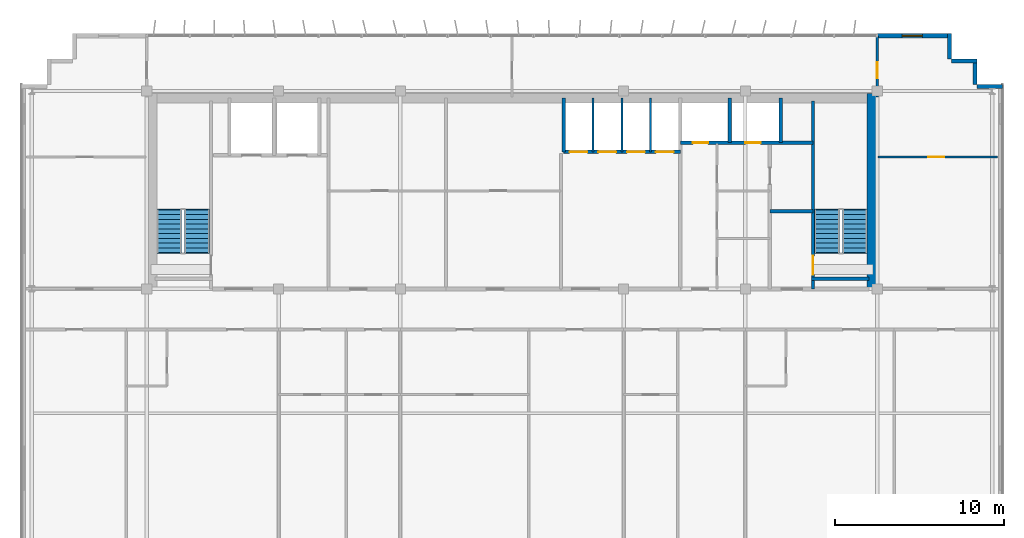
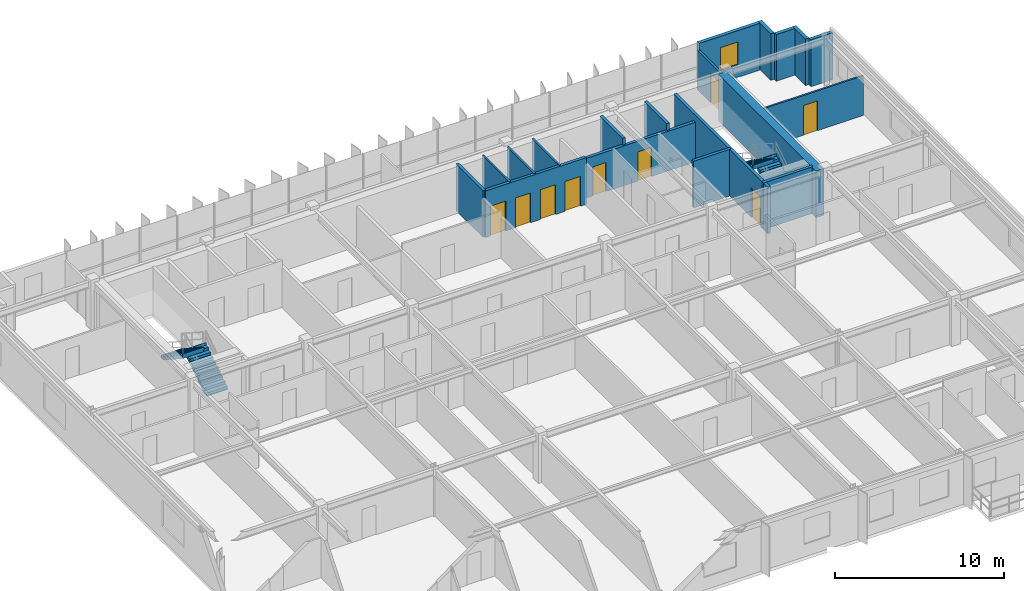
# One storey, part 20 of 22: 19 walls, 9 doors, 4 stair flights, 1 window, 10 openings, 2 elements without a shape of their own.
"""IFC4 building model written with IfcOpenShell, lengths in metres."""

from ifc_helpers import new_model, si_unit, direction, frame, frame_2d, origin, place, context, subcontext, project, spatial, polyline, rectangle, outline, extrude, source, transform, mapped, material, layer, layer_set, type_object, element, fill, aggregate, save


model = new_model("IFC4")

# Units and contexts
model_context = context("Model", 3, precision=1e-05, world=origin(), true_north=direction((0.0, 1.0)))
body_context = subcontext(model_context, "Body", "Model", "MODEL_VIEW")
ifc_project = project(units=[si_unit("LENGTHUNIT", "METRE"), si_unit("AREAUNIT", "SQUARE_METRE"), si_unit("VOLUMEUNIT", "CUBIC_METRE"), si_unit("PLANEANGLEUNIT", "RADIAN"), si_unit("MASSUNIT", "GRAM", prefix="KILO")], contexts=[model_context])

# Site, building, storey
site_placement = place(None, origin())
site = spatial("IfcSite", under=ifc_project, at=site_placement, CompositionType="ELEMENT")
building_placement = place(site_placement, origin())
building = spatial("IfcBuilding", under=site, at=building_placement, Name="Trelvane Seafront Commons", CompositionType="ELEMENT")
storey_placement = place(building_placement, frame((0.0, 0.0, 284.699951171875)))
storey = spatial("IfcBuildingStorey", under=building, at=storey_placement, Name="L74", CompositionType="ELEMENT", Elevation=284.699951171875)

# Wall, opening, window
ifc_material_1 = material(Name="Precast concrete C40/50", Category="concrete")
ifc_layer_1 = layer(ifc_material_1, 0.239990234375, Name="ARCH-WALL-EXT240")
ifc_layer_set_1 = layer_set([ifc_layer_1], Name="Precast concrete C40/50")
wall_type_1 = type_object("IfcWallType", Name="ARCH-WALL-EXT240", PredefinedType="SOLIDWALL", material=ifc_layer_set_1)
wall_1_placement = place(storey_placement, frame((58.800048828125, 48.3701171875, 0.0), z_axis=(0.0, 0.0, 1.0), x_axis=(1.0, 0.0, 0.0)))
wall_1 = element("IfcWall", 1, at=wall_1_placement, inside=storey, type_object=wall_type_1, Name="EW-L74-NE-1488", PredefinedType="SOLIDWALL", context=body_context, shape_type="SweptSolid", body=[
    extrude(rectangle(XDim=4.300048828125, YDim=0.239990234375, at=frame_2d((2.14990234375, 0.0))), origin(), (0.0, 0.0, 1.0), 3.3701171875),
])
opening_1_placement = place(wall_1_placement, frame((1.4599609375, 0.0, 0.89990234375)))
opening_1 = element("IfcOpeningElement", 2, at=opening_1_placement, cuts=wall_1, Name="Opening W05", PredefinedType="OPENING", context=body_context, shape_type="SweptSolid", body=[
    extrude(rectangle(XDim=1.199951171875, YDim=1.64990234375, at=frame_2d((0.60009765625, 0.824951171875))), frame((0.0, 0.1298828125, 0.0), z_axis=(0.0, -1.0, 0.0), x_axis=(1.0, 0.0, 0.0)), (0.0, 0.0, 1.0), 0.260009765625),
])
ifc_material_2 = material(Name="Low-E coastal double glazing", Category="glass")
window_type = type_object("IfcWindowType", Name="ARCH-WIN-W05", PartitioningType="SINGLE_PANEL", PredefinedType="WINDOW", material=ifc_material_2)
shared_shape_1 = source(origin(), body_context, "Body", "SweptSolid", [
    extrude(rectangle(XDim=1.199951171875, YDim=1.64990234375, at=frame_2d((0.60009765625, 0.824951171875))), frame((0.0, 0.030029296875, 0.0), z_axis=(0.0, -1.0, 0.0), x_axis=(1.0, 0.0, 0.0)), (0.0, 0.0, 1.0), 0.06005859375),
])
window_placement = place(opening_1_placement, origin())
window = element("IfcWindow", 3, at=window_placement, inside=storey, type_object=window_type, Name="WIN-L74-01772", OverallHeight=1.64990234375, OverallWidth=1.199951171875, PartitioningType="SINGLE_PANEL", PredefinedType="WINDOW", context=body_context, shape_type="MappedRepresentation", body=[
    mapped(shared_shape_1, transform((0.0, 0.0, 0.0), x_axis=(1.0, 0.0, 0.0), y_axis=(0.0, 1.0, 0.0), z_axis=(0.0, 0.0, 1.0), scale=1.0)),
])
fill(opening_1, window)

# Walls
for number, where, z_axis, x_axis, name in (
    (4, (63.080078125, 48.5, 0.0), (0.0, 0.0, 1.0), (0.0, -1.0, 0.0), "EW-L74-01497"),
    (5, (63.199951171875, 46.8798828125, 0.0), (0.0, 0.0, 1.0), (1.0, 0.0, 0.0), "EW-L74-01498"),
    (6, (64.580078125, 47.0, 0.0), (0.0, 0.0, 1.0), (0.0, -1.0, 0.0), "EW-L74-01499"),
    (7, (64.699951171875, 45.3798828125, 0.0), (0.0, 0.0, 1.0), (1.0, 0.0, 0.0), "EW-L74-01500"),
):
    element("IfcWall", number, at=place(storey_placement, frame(where, z_axis=z_axis, x_axis=x_axis)), inside=storey, type_object=wall_type_1, Name=name, PredefinedType="SOLIDWALL", context=body_context, shape_type="SweptSolid", body=[
        extrude(rectangle(XDim=1.5, YDim=0.239990234375, at=frame_2d((0.75, 0.0))), origin(), (0.0, 0.0, 1.0), 3.3701171875),
    ])
ifc_material_3 = material(Name="Concrete C40/50", Category="concrete")
ifc_layer_2 = layer(ifc_material_3, 0.199951171875, Name="ARCH-WALL-FIRE200")
ifc_layer_set_2 = layer_set([ifc_layer_2], Name="Concrete C40/50")
wall_type_2 = type_object("IfcWallType", Name="ARCH-WALL-FIRE200", PredefinedType="PARTITIONING", material=ifc_layer_set_2)
wall_2_placement = place(storey_placement, frame((52.449951171875, 38.0, 0.0), z_axis=(0.0, 0.0, 1.0), x_axis=(1.0, 0.0, 0.0)))
element("IfcWall", 8, at=wall_2_placement, inside=storey, type_object=wall_type_2, Name="W-L74-ST2V-N-031", PredefinedType="PARTITIONING", context=body_context, shape_type="SweptSolid", body=[
    extrude(rectangle(XDim=2.550048828125, YDim=0.199951171875, at=frame_2d((1.27490234375, 0.0))), origin(), (0.0, 0.0, 1.0), 3.3701171875),
])
ifc_material_4 = material(Name="Gypsum Drywall Acoustic Partition")
ifc_layer_3 = layer(ifc_material_4, 0.1201171875, Name="ARCH-WALL-PART120")
ifc_layer_set_3 = layer_set([ifc_layer_3], Name="Gypsum Drywall Acoustic Partition")
wall_type_3 = type_object("IfcWallType", Name="ARCH-WALL-PART120", PredefinedType="PARTITIONING", material=ifc_layer_set_3)
for number, where, z_axis, x_axis, name in (
    (9, (42.0, 41.5, 0.0), (0.0, 0.0, 1.0), (0.0, 1.0, 0.0), "W-L74-PH-DIV1-020"),
    (10, (43.699951171875, 41.5, 0.0), (0.0, 0.0, 1.0), (0.0, 1.0, 0.0), "W-L74-PH-DIV2-021"),
    (11, (45.39990234375, 41.5, 0.0), (0.0, 0.0, 1.0), (0.0, 1.0, 0.0), "W-L74-PH-DIV3-022"),
):
    element("IfcWall", number, at=place(storey_placement, frame(where, z_axis=z_axis, x_axis=x_axis)), inside=storey, type_object=wall_type_3, Name=name, PredefinedType="PARTITIONING", context=body_context, shape_type="SweptSolid", body=[
        extrude(rectangle(XDim=3.199951171875, YDim=0.1201171875, at=frame_2d((1.60009765625, 0.0))), origin(), (0.0, 0.0, 1.0), 3.3701171875),
    ])

# Wall, opening, door
wall_3_placement = place(storey_placement, frame((58.85009765625, 41.199951171875, 0.0), z_axis=(0.0, 0.0, 1.0), x_axis=(1.0, 0.0, 0.0)))
wall_3 = element("IfcWall", 12, at=wall_3_placement, inside=storey, type_object=wall_type_3, Name="W-L74-NE-LGDV-038", PredefinedType="PARTITIONING", context=body_context, shape_type="SweptSolid", body=[
    extrude(rectangle(XDim=7.0498046875, YDim=0.1201171875, at=frame_2d((3.52490234375, 0.0))), origin(), (0.0, 0.0, 1.0), 2.8701171875),
])
opening_2_placement = place(wall_3_placement, frame((2.9580078125, 0.0, 0.0)))
opening_2 = element("IfcOpeningElement", 13, at=opening_2_placement, cuts=wall_3, Name="Opening D-L74-25", PredefinedType="OPENING", context=body_context, shape_type="SweptSolid", body=[
    extrude(rectangle(XDim=0.949951171875, YDim=2.14990234375, at=frame_2d((0.47509765625, 1.074951171875))), frame((0.0, 0.070068359375, 0.0), z_axis=(0.0, -1.0, 0.0), x_axis=(1.0, 0.0, 0.0)), (0.0, 0.0, 1.0), 0.14013671875),
])
ifc_material_5 = material(Name="Acoustic timber door leaf", Category="wood")
door_type_1 = type_object("IfcDoorType", Name="ARCH-DR-INT950", OperationType="NOTDEFINED", PredefinedType="DOOR", material=ifc_material_5)
shared_shape_2 = source(origin(), body_context, "Body", "SweptSolid", [
    extrude(rectangle(XDim=0.949951171875, YDim=2.14990234375, at=frame_2d((0.47509765625, 1.074951171875))), frame((0.0, 0.02490234375, 0.0), z_axis=(0.0, -1.0, 0.0), x_axis=(1.0, 0.0, 0.0)), (0.0, 0.0, 1.0), 0.050048828125),
])
door_1_placement = place(opening_2_placement, origin())
door_1 = element("IfcDoor", 14, at=door_1_placement, inside=storey, type_object=door_type_1, Name="L74 Door 25", OperationType="SINGLE_SWING_LEFT", OverallHeight=2.14990234375, OverallWidth=0.949951171875, PredefinedType="DOOR", context=body_context, shape_type="MappedRepresentation", body=[
    mapped(shared_shape_2, transform((0.0, 0.0, 0.0), x_axis=(1.0, 0.0, 0.0), y_axis=(0.0, 1.0, 0.0), z_axis=(0.0, 0.0, 1.0), scale=1.0)),
])
fill(opening_2, door_1)

ifc_layer_4 = layer(ifc_material_4, 0.14990234375, Name="ARCH-WALL-PART150")
ifc_layer_set_4 = layer_set([ifc_layer_4], Name="Gypsum Drywall Acoustic Partition")
wall_type_4 = type_object("IfcWallType", Name="ARCH-WALL-PART150", PredefinedType="PARTITIONING", material=ifc_layer_set_4)
wall_4_placement = place(storey_placement, frame((58.800048828125, 44.75, 0.0), z_axis=(0.0, 0.0, 1.0), x_axis=(0.0, 1.0, 0.0)))
wall_4 = element("IfcWall", 15, at=wall_4_placement, inside=storey, type_object=wall_type_4, Name="W-L74-N-LINK-E-042", PredefinedType="PARTITIONING", context=body_context, shape_type="SweptSolid", body=[
    extrude(rectangle(XDim=3.610107421875, YDim=0.14990234375, at=frame_2d((1.80517578125, 0.0))), origin(), (0.0, 0.0, 1.0), 2.8701171875),
])
opening_3_placement = place(wall_4_placement, frame((1.10009765625, 0.0, 0.0)))
opening_3 = element("IfcOpeningElement", 16, at=opening_3_placement, cuts=wall_4, Name="Opening FD-L74-29", PredefinedType="OPENING", context=body_context, shape_type="SweptSolid", body=[
    extrude(rectangle(XDim=0.949951171875, YDim=2.14990234375, at=frame_2d((0.47509765625, 1.074951171875))), frame((0.0, 0.0849609375, 0.0), z_axis=(0.0, -1.0, 0.0), x_axis=(1.0, 0.0, 0.0)), (0.0, 0.0, 1.0), 0.169921875),
])
ifc_material_6 = material(Name="Powder-coated aluminium frame", Category="aluminium")
door_type_2 = type_object("IfcDoorType", Name="ARCH-DR-FD60-950", OperationType="NOTDEFINED", PredefinedType="DOOR", material=ifc_material_6)
door_2_placement = place(opening_3_placement, origin())
door_2 = element("IfcDoor", 17, at=door_2_placement, inside=storey, type_object=door_type_2, Name="L74 Door 29", OperationType="SINGLE_SWING_LEFT", OverallHeight=2.14990234375, OverallWidth=0.949951171875, PredefinedType="DOOR", context=body_context, shape_type="MappedRepresentation", body=[
    mapped(shared_shape_2, transform((0.0, 0.0, 0.0), x_axis=(1.0, 0.0, 0.0), y_axis=(0.0, 1.0, 0.0), z_axis=(0.0, 0.0, 1.0), scale=1.0)),
])
fill(opening_3, door_2)

# Wall, openings, doors
ifc_layer_5 = layer(ifc_material_3, 0.199951171875, Name="ARCH-WALL-SHAFT200")
ifc_layer_set_5 = layer_set([ifc_layer_5], Name="Concrete C40/50")
wall_type_5 = type_object("IfcWallType", Name="ARCH-WALL-SHAFT200", PredefinedType="SOLIDWALL", material=ifc_layer_set_5)
wall_5_placement = place(storey_placement, frame((40.25, 41.5, 0.0), z_axis=(0.0, 0.0, 1.0), x_axis=(1.0, 0.0, 0.0)))
wall_5 = element("IfcWall", 18, at=wall_5_placement, inside=storey, type_object=wall_type_5, Name="W-L74-PH-FRONT-018", PredefinedType="SOLIDWALL", context=body_context, shape_type="SweptSolid", body=[
    extrude(rectangle(XDim=6.89990234375, YDim=0.199951171875, at=frame_2d((3.449951171875, 0.0))), origin(), (0.0, 0.0, 1.0), 3.3701171875),
])
opening_4_placement = place(wall_5_placement, frame((0.35009765625, 0.0, 0.0)))
opening_4 = element("IfcOpeningElement", 19, at=opening_4_placement, cuts=wall_5, Name="Opening LD-PH1-L74", PredefinedType="OPENING", context=body_context, shape_type="SweptSolid", body=[
    extrude(rectangle(XDim=1.050048828125, YDim=2.14990234375, at=frame_2d((0.52490234375, 1.074951171875))), frame((0.0, 0.10986328125, 0.0), z_axis=(0.0, -1.0, 0.0), x_axis=(1.0, 0.0, 0.0)), (0.0, 0.0, 1.0), 0.219970703125),
])
opening_5_placement = place(wall_5_placement, frame((2.050048828125, 0.0, 0.0)))
opening_5 = element("IfcOpeningElement", 20, at=opening_5_placement, cuts=wall_5, Name="Opening LD-PH2-L74", PredefinedType="OPENING", context=body_context, shape_type="SweptSolid", body=[
    extrude(rectangle(XDim=1.050048828125, YDim=2.14990234375, at=frame_2d((0.52490234375, 1.074951171875))), frame((0.0, 0.10986328125, 0.0), z_axis=(0.0, -1.0, 0.0), x_axis=(1.0, 0.0, 0.0)), (0.0, 0.0, 1.0), 0.219970703125),
])
opening_6_placement = place(wall_5_placement, frame((3.75, 0.0, 0.0)))
opening_6 = element("IfcOpeningElement", 21, at=opening_6_placement, cuts=wall_5, Name="Opening LD-PH3-L74", PredefinedType="OPENING", context=body_context, shape_type="SweptSolid", body=[
    extrude(rectangle(XDim=1.050048828125, YDim=2.14990234375, at=frame_2d((0.52490234375, 1.074951171875))), frame((0.0, 0.10986328125, 0.0), z_axis=(0.0, -1.0, 0.0), x_axis=(1.0, 0.0, 0.0)), (0.0, 0.0, 1.0), 0.219970703125),
])
opening_7_placement = place(wall_5_placement, frame((5.449951171875, 0.0, 0.0)))
opening_7 = element("IfcOpeningElement", 22, at=opening_7_placement, cuts=wall_5, Name="Opening LD-PH4-L74", PredefinedType="OPENING", context=body_context, shape_type="SweptSolid", body=[
    extrude(rectangle(XDim=1.050048828125, YDim=2.14990234375, at=frame_2d((0.52490234375, 1.074951171875))), frame((0.0, 0.10986328125, 0.0), z_axis=(0.0, -1.0, 0.0), x_axis=(1.0, 0.0, 0.0)), (0.0, 0.0, 1.0), 0.219970703125),
])
ifc_material_7 = material(Name="Stainless steel balustrade", Category="steel")
door_type_3 = type_object("IfcDoorType", Name="ARCH-DR-LD1050", OperationType="DOUBLE_DOOR_SLIDING", PredefinedType="DOOR", material=ifc_material_7)
shared_shape_3 = source(origin(), body_context, "Body", "SweptSolid", [
    extrude(rectangle(XDim=1.050048828125, YDim=2.14990234375, at=frame_2d((0.52490234375, 1.074951171875))), frame((0.0, 0.02490234375, 0.0), z_axis=(0.0, -1.0, 0.0), x_axis=(1.0, 0.0, 0.0)), (0.0, 0.0, 1.0), 0.050048828125),
])
door_3_placement = place(opening_4_placement, origin())
door_3 = element("IfcDoor", 23, at=door_3_placement, inside=storey, type_object=door_type_3, Name="L74 Passenger Lift PH-1 Landing Door", OperationType="DOUBLE_DOOR_SLIDING", OverallHeight=2.14990234375, OverallWidth=1.050048828125, PredefinedType="DOOR", context=body_context, shape_type="MappedRepresentation", body=[
    mapped(shared_shape_3, transform((0.0, 0.0, 0.0), x_axis=(1.0, 0.0, 0.0), y_axis=(0.0, 1.0, 0.0), z_axis=(0.0, 0.0, 1.0), scale=1.0)),
])
fill(opening_4, door_3)
door_4_placement = place(opening_5_placement, origin())
door_4 = element("IfcDoor", 24, at=door_4_placement, inside=storey, type_object=door_type_3, Name="L74 Passenger Lift PH-2 Landing Door", OperationType="DOUBLE_DOOR_SLIDING", OverallHeight=2.14990234375, OverallWidth=1.050048828125, PredefinedType="DOOR", context=body_context, shape_type="MappedRepresentation", body=[
    mapped(shared_shape_3, transform((0.0, 0.0, 0.0), x_axis=(1.0, 0.0, 0.0), y_axis=(0.0, 1.0, 0.0), z_axis=(0.0, 0.0, 1.0), scale=1.0)),
])
fill(opening_5, door_4)
door_5_placement = place(opening_6_placement, origin())
door_5 = element("IfcDoor", 25, at=door_5_placement, inside=storey, type_object=door_type_3, Name="L74 Passenger Lift PH-3 Landing Door", OperationType="DOUBLE_DOOR_SLIDING", OverallHeight=2.14990234375, OverallWidth=1.050048828125, PredefinedType="DOOR", context=body_context, shape_type="MappedRepresentation", body=[
    mapped(shared_shape_3, transform((0.0, 0.0, 0.0), x_axis=(1.0, 0.0, 0.0), y_axis=(0.0, 1.0, 0.0), z_axis=(0.0, 0.0, 1.0), scale=1.0)),
])
fill(opening_6, door_5)
door_6_placement = place(opening_7_placement, origin())
door_6 = element("IfcDoor", 26, at=door_6_placement, inside=storey, type_object=door_type_3, Name="L74 Passenger Lift PH-4 Landing Door", OperationType="DOUBLE_DOOR_SLIDING", OverallHeight=2.14990234375, OverallWidth=1.050048828125, PredefinedType="DOOR", context=body_context, shape_type="MappedRepresentation", body=[
    mapped(shared_shape_3, transform((0.0, 0.0, 0.0), x_axis=(1.0, 0.0, 0.0), y_axis=(0.0, 1.0, 0.0), z_axis=(0.0, 0.0, 1.0), scale=1.0)),
])
fill(opening_7, door_6)

# Wall
wall_6_placement = place(storey_placement, frame((40.25, 41.5, 0.0), z_axis=(0.0, 0.0, 1.0), x_axis=(0.0, 1.0, 0.0)))
element("IfcWall", 27, at=wall_6_placement, inside=storey, type_object=wall_type_5, Name="W-L74-PH-WEST-SH-019", PredefinedType="SOLIDWALL", context=body_context, shape_type="SweptSolid", body=[
    extrude(rectangle(XDim=3.199951171875, YDim=0.199951171875, at=frame_2d((1.60009765625, 0.0))), origin(), (0.0, 0.0, 1.0), 3.3701171875),
])

# Wall, openings, doors
wall_7_placement = place(storey_placement, frame((47.14990234375, 42.050048828125, 0.0), z_axis=(0.0, 0.0, 1.0), x_axis=(1.0, 0.0, 0.0)))
wall_7 = element("IfcWall", 28, at=wall_7_placement, inside=storey, type_object=wall_type_5, Name="W-L74-RSR-S-027", PredefinedType="SOLIDWALL", context=body_context, shape_type="SweptSolid", body=[
    extrude(rectangle(XDim=7.85009765625, YDim=0.199951171875, at=frame_2d((3.925048828125, 0.0))), origin(), (0.0, 0.0, 1.0), 2.8701171875),
])
opening_8_placement = place(wall_7_placement, frame((0.75, 0.0, 0.0)))
opening_8 = element("IfcOpeningElement", 29, at=opening_8_placement, cuts=wall_7, Name="Opening FD-L74-15", PredefinedType="OPENING", context=body_context, shape_type="SweptSolid", body=[
    extrude(rectangle(XDim=0.89990234375, YDim=2.10009765625, at=frame_2d((0.449951171875, 1.050048828125))), frame((0.0, 0.10986328125, 0.0), z_axis=(0.0, -1.0, 0.0), x_axis=(1.0, 0.0, 0.0)), (0.0, 0.0, 1.0), 0.219970703125),
])
opening_9_placement = place(wall_7_placement, frame((3.85009765625, 0.0, 0.0)))
opening_9 = element("IfcOpeningElement", 30, at=opening_9_placement, cuts=wall_7, Name="Opening FD-L74-16", PredefinedType="OPENING", context=body_context, shape_type="SweptSolid", body=[
    extrude(rectangle(XDim=0.89990234375, YDim=2.10009765625, at=frame_2d((0.449951171875, 1.050048828125))), frame((0.0, 0.10986328125, 0.0), z_axis=(0.0, -1.0, 0.0), x_axis=(1.0, 0.0, 0.0)), (0.0, 0.0, 1.0), 0.219970703125),
])
door_type_4 = type_object("IfcDoorType", Name="ARCH-DR-FD60-900", OperationType="NOTDEFINED", PredefinedType="DOOR", material=ifc_material_6)
shared_shape_4 = source(origin(), body_context, "Body", "SweptSolid", [
    extrude(rectangle(XDim=0.89990234375, YDim=2.10009765625, at=frame_2d((0.449951171875, 1.050048828125))), frame((0.0, 0.02490234375, 0.0), z_axis=(0.0, -1.0, 0.0), x_axis=(1.0, 0.0, 0.0)), (0.0, 0.0, 1.0), 0.050048828125),
])
door_7_placement = place(opening_8_placement, origin())
door_7 = element("IfcDoor", 31, at=door_7_placement, inside=storey, type_object=door_type_4, Name="L74 Electrical Riser Access Door", OperationType="SINGLE_SWING_LEFT", OverallHeight=2.10009765625, OverallWidth=0.89990234375, PredefinedType="DOOR", context=body_context, shape_type="MappedRepresentation", body=[
    mapped(shared_shape_4, transform((0.0, 0.0, 0.0), x_axis=(1.0, 0.0, 0.0), y_axis=(0.0, 1.0, 0.0), z_axis=(0.0, 0.0, 1.0), scale=1.0)),
])
fill(opening_8, door_7)
door_8_placement = place(opening_9_placement, origin())
door_8 = element("IfcDoor", 32, at=door_8_placement, inside=storey, type_object=door_type_4, Name="L74 Mechanical Riser Access Door", OperationType="SINGLE_SWING_RIGHT", OverallHeight=2.10009765625, OverallWidth=0.89990234375, PredefinedType="DOOR", context=body_context, shape_type="MappedRepresentation", body=[
    mapped(shared_shape_4, transform((0.0, 0.0, 0.0), x_axis=(1.0, 0.0, 0.0), y_axis=(0.0, 1.0, 0.0), z_axis=(0.0, 0.0, 1.0), scale=1.0)),
])
fill(opening_9, door_8)

# Walls
for number, where, z_axis, x_axis, name in (
    (33, (50.080078125, 42.050048828125, 0.0), (0.0, 0.0, 1.0), (0.0, 1.0, 0.0), "W-L74-RSR-DIV-028"),
    (34, (53.10009765625, 42.050048828125, 0.0), (0.0, 0.0, 1.0), (0.0, 1.0, 0.0), "W-L74-RSR-E-029"),
):
    element("IfcWall", number, at=place(storey_placement, frame(where, z_axis=z_axis, x_axis=x_axis)), inside=storey, type_object=wall_type_5, Name=name, PredefinedType="SOLIDWALL", context=body_context, shape_type="SweptSolid", body=[
        extrude(rectangle(XDim=2.64990234375, YDim=0.199951171875, at=frame_2d((1.324951171875, 0.0))), origin(), (0.0, 0.0, 1.0), 3.3701171875),
    ])
ifc_material_8 = material(Name="Concrete C50/60", Category="concrete")
ifc_layer_6 = layer(ifc_material_8, 0.550048828125, Name="STR-WALL-CORE550")
ifc_layer_set_6 = layer_set([ifc_layer_6], Name="Concrete C50/60")
wall_type_6 = type_object("IfcWallType", Name="STR-WALL-CORE550", PredefinedType="SHEAR", material=ifc_layer_set_6)
wall_8_placement = place(storey_placement, frame((58.47509765625, 33.39990234375, 0.0), z_axis=(0.0, 0.0, 1.0), x_axis=(0.0, 1.0, 0.0)))
element("IfcWall", 35, at=wall_8_placement, inside=storey, type_object=wall_type_6, Name="W-L74-CE-END-003", PredefinedType="SHEAR", context=body_context, shape_type="SweptSolid", body=[
    extrude(rectangle(XDim=11.550048828125, YDim=0.550048828125, at=frame_2d((5.77490234375, 0.0))), origin(), (0.0, 0.0, 1.0), 3.3701171875),
])
ifc_layer_7 = layer(ifc_material_8, 0.199951171875, Name="STR-WALL-STAIR200")
ifc_layer_set_7 = layer_set([ifc_layer_7], Name="Concrete C50/60")
wall_type_7 = type_object("IfcWallType", Name="STR-WALL-STAIR200", PredefinedType="SHEAR", material=ifc_layer_set_7)
wall_9_placement = place(storey_placement, frame((54.89990234375, 34.0, 0.0), z_axis=(0.0, 0.0, 1.0), x_axis=(1.0, 0.0, 0.0)))
element("IfcWall", 36, at=wall_9_placement, inside=storey, type_object=wall_type_7, Name="W-L74-ST2-S-006", PredefinedType="SHEAR", context=body_context, shape_type="SweptSolid", body=[
    extrude(rectangle(XDim=3.400146484375, YDim=0.199951171875, at=frame_2d((1.7001953125, 0.0))), origin(), (0.0, 0.0, 1.0), 3.3701171875),
])

# Wall, opening, door
wall_10_placement = place(storey_placement, frame((55.0, 33.39990234375, 0.0), z_axis=(0.0, 0.0, 1.0), x_axis=(0.0, 1.0, 0.0)))
wall_10 = element("IfcWall", 37, at=wall_10_placement, inside=storey, type_object=wall_type_7, Name="W-L74-ST2-W-007", PredefinedType="SHEAR", context=body_context, shape_type="SweptSolid", body=[
    extrude(rectangle(XDim=11.10009765625, YDim=0.199951171875, at=frame_2d((5.550048828125, 0.0))), origin(), (0.0, 0.0, 1.0), 3.3701171875),
])
opening_10_placement = place(wall_10_placement, frame((0.85009765625, 0.0, 0.0)))
opening_10 = element("IfcOpeningElement", 38, at=opening_10_placement, cuts=wall_10, Name="Opening ST-D2-L74", PredefinedType="OPENING", context=body_context, shape_type="SweptSolid", body=[
    extrude(rectangle(XDim=1.10009765625, YDim=2.14990234375, at=frame_2d((0.550048828125, 1.074951171875))), frame((0.0, 0.10986328125, 0.0), z_axis=(0.0, -1.0, 0.0), x_axis=(1.0, 0.0, 0.0)), (0.0, 0.0, 1.0), 0.219970703125),
])
door_type_5 = type_object("IfcDoorType", Name="ARCH-DR-FD90-1100", OperationType="NOTDEFINED", PredefinedType="DOOR", material=ifc_material_6)
shared_shape_5 = source(origin(), body_context, "Body", "SweptSolid", [
    extrude(rectangle(XDim=1.10009765625, YDim=2.14990234375, at=frame_2d((0.550048828125, 1.074951171875))), frame((0.0, 0.02490234375, 0.0), z_axis=(0.0, -1.0, 0.0), x_axis=(1.0, 0.0, 0.0)), (0.0, 0.0, 1.0), 0.050048828125),
])
door_9_placement = place(opening_10_placement, origin())
door_9 = element("IfcDoor", 39, at=door_9_placement, inside=storey, type_object=door_type_5, Name="L74 Stair ST-2 Vestibule Fire Door", OperationType="SINGLE_SWING_RIGHT", OverallHeight=2.14990234375, OverallWidth=1.10009765625, PredefinedType="DOOR", context=body_context, shape_type="MappedRepresentation", body=[
    mapped(shared_shape_5, transform((0.0, 0.0, 0.0), x_axis=(1.0, 0.0, 0.0), y_axis=(0.0, 1.0, 0.0), z_axis=(0.0, 0.0, 1.0), scale=1.0)),
])
fill(opening_10, door_9)

# Stair, stair flights
stair_type_1 = type_object("IfcStairType", Name="ARCH-STR-ST-1-R20-180", PredefinedType="HALF_TURN_STAIR", material=ifc_material_3)
stair_1_placement = place(storey_placement, origin())
stair_1 = element("IfcStair", 40, at=stair_1_placement, inside=storey, type_object=stair_type_1, Name="L74 West Protected Firefighting Exit Stair ST-1", PredefinedType="HALF_TURN_STAIR")
stair_flight_type_1 = type_object("IfcStairFlightType", Name="ARCH-FLG-ST-1-R20-180", PredefinedType="STRAIGHT", material=ifc_material_3)
shared_shape_6 = source(origin(), body_context, "Body", "SweptSolid", [
    extrude(outline(polyline([(-0.050048828125, -0.02001953125), (-0.050048828125, 0.0), (0.0, 0.0), (0.0, 0.179931640625), (0.280029296875, 0.179931640625), (0.280029296875, 0.360107421875), (0.56005859375, 0.360107421875), (0.56005859375, 0.5400390625), (0.840087890625, 0.5400390625), (0.840087890625, 0.719970703125), (1.1201171875, 0.719970703125), (1.1201171875, 0.89990234375), (1.39990234375, 0.89990234375), (1.39990234375, 1.080078125), (1.679931640625, 1.080078125), (1.679931640625, 1.260009765625), (1.9599609375, 1.260009765625), (1.9599609375, 1.43994140625), (2.239990234375, 1.43994140625), (2.239990234375, 1.6201171875), (2.52001953125, 1.6201171875), (2.52001953125, 1.800048828125), (2.570068359375, 1.800048828125), (2.570068359375, 1.650146484375), (2.52001953125, 1.44189453125), (0.277099609375, -0.02001953125), (-0.050048828125, -0.02001953125)])), frame((0.0, 0.72509765625, 0.0), z_axis=(0.0, -1.0, 0.0), x_axis=(1.0, 0.0, 0.0)), (0.0, 0.0, 1.0), 1.449951171875),
])
stair_flight_1_placement = place(storey_placement, frame((18.574951171875, 35.550048828125, 0.0), z_axis=(0.0, 0.0, 1.0), x_axis=(0.0, 1.0, 0.0)))
stair_flight_1 = element("IfcStairFlight", 41, at=stair_flight_1_placement, type_object=stair_flight_type_1, Name="ST-1 flight 1", NumberOfRisers=10, NumberOfTreads=9, PredefinedType="STRAIGHT", RiserHeight=0.18, TreadLength=0.28, context=body_context, shape_type="MappedRepresentation", body=[
    mapped(shared_shape_6, transform((0.0, 0.0, 0.0), x_axis=(1.0, 0.0, 0.0), y_axis=(0.0, 1.0, 0.0), z_axis=(0.0, 0.0, 1.0), scale=1.0)),
])
stair_flight_2_placement = place(storey_placement, frame((16.925048828125, 38.070068359375, 1.800048828125), z_axis=(0.0, 0.0, 1.0), x_axis=(0.0, -1.0, 0.0)))
stair_flight_2 = element("IfcStairFlight", 42, at=stair_flight_2_placement, type_object=stair_flight_type_1, Name="ST-1 flight 2", NumberOfRisers=10, NumberOfTreads=9, PredefinedType="STRAIGHT", RiserHeight=0.18, TreadLength=0.28, context=body_context, shape_type="MappedRepresentation", body=[
    mapped(shared_shape_6, transform((0.0, 0.0, 0.0), x_axis=(1.0, 0.0, 0.0), y_axis=(0.0, 1.0, 0.0), z_axis=(0.0, 0.0, 1.0), scale=1.0)),
])
aggregate(stair_1, [stair_flight_1, stair_flight_2])

stair_type_2 = type_object("IfcStairType", Name="ARCH-STR-ST-2-R20-180", PredefinedType="HALF_TURN_STAIR", material=ifc_material_3)
stair_2_placement = place(storey_placement, origin())
stair_2 = element("IfcStair", 43, at=stair_2_placement, inside=storey, type_object=stair_type_2, Name="L74 East Protected Firefighting Exit Stair ST-2", PredefinedType="HALF_TURN_STAIR")
stair_flight_type_2 = type_object("IfcStairFlightType", Name="ARCH-FLG-ST-2-R20-180", PredefinedType="STRAIGHT", material=ifc_material_3)
stair_flight_3_placement = place(storey_placement, frame((57.47509765625, 35.550048828125, 0.0), z_axis=(0.0, 0.0, 1.0), x_axis=(0.0, 1.0, 0.0)))
stair_flight_3 = element("IfcStairFlight", 44, at=stair_flight_3_placement, type_object=stair_flight_type_2, Name="ST-2 flight 1", NumberOfRisers=10, NumberOfTreads=9, PredefinedType="STRAIGHT", RiserHeight=0.18, TreadLength=0.28, context=body_context, shape_type="MappedRepresentation", body=[
    mapped(shared_shape_6, transform((0.0, 0.0, 0.0), x_axis=(1.0, 0.0, 0.0), y_axis=(0.0, 1.0, 0.0), z_axis=(0.0, 0.0, 1.0), scale=1.0)),
])
stair_flight_4_placement = place(storey_placement, frame((55.824951171875, 38.070068359375, 1.800048828125), z_axis=(0.0, 0.0, 1.0), x_axis=(0.0, -1.0, 0.0)))
stair_flight_4 = element("IfcStairFlight", 45, at=stair_flight_4_placement, type_object=stair_flight_type_2, Name="ST-2 flight 2", NumberOfRisers=10, NumberOfTreads=9, PredefinedType="STRAIGHT", RiserHeight=0.18, TreadLength=0.28, context=body_context, shape_type="MappedRepresentation", body=[
    mapped(shared_shape_6, transform((0.0, 0.0, 0.0), x_axis=(1.0, 0.0, 0.0), y_axis=(0.0, 1.0, 0.0), z_axis=(0.0, 0.0, 1.0), scale=1.0)),
])
aggregate(stair_2, [stair_flight_3, stair_flight_4])

save(model, "model.ifc")
